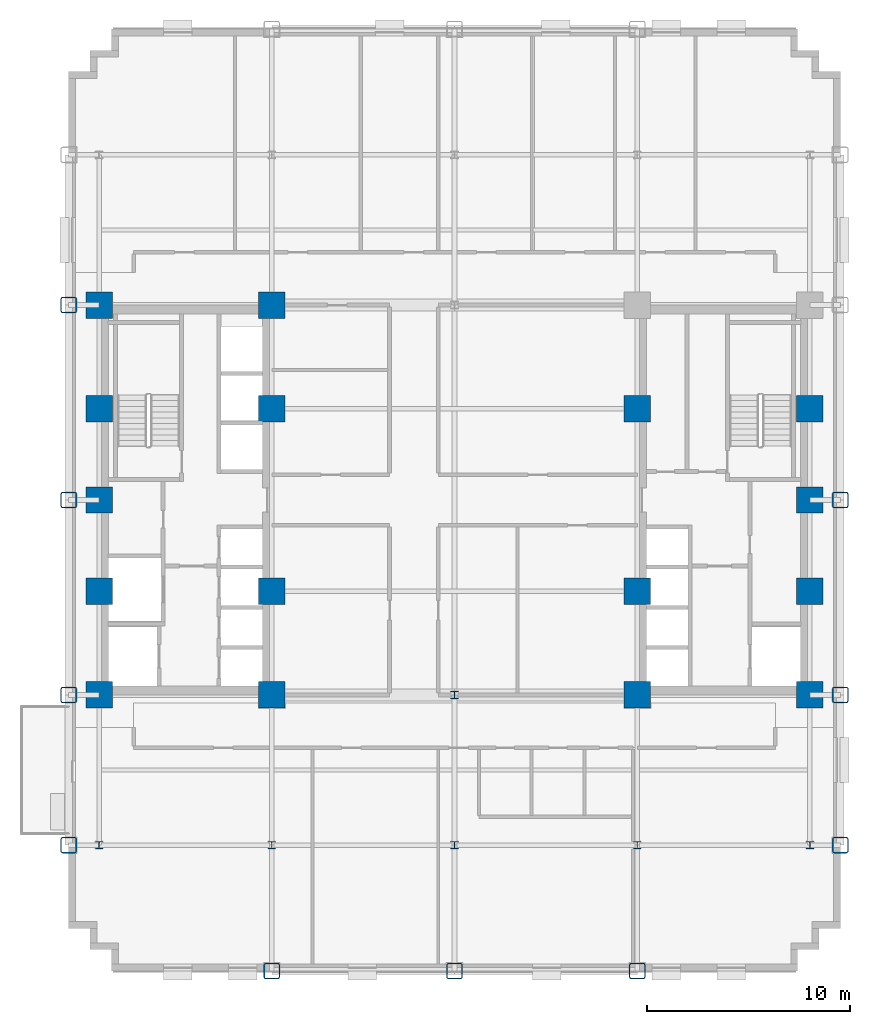
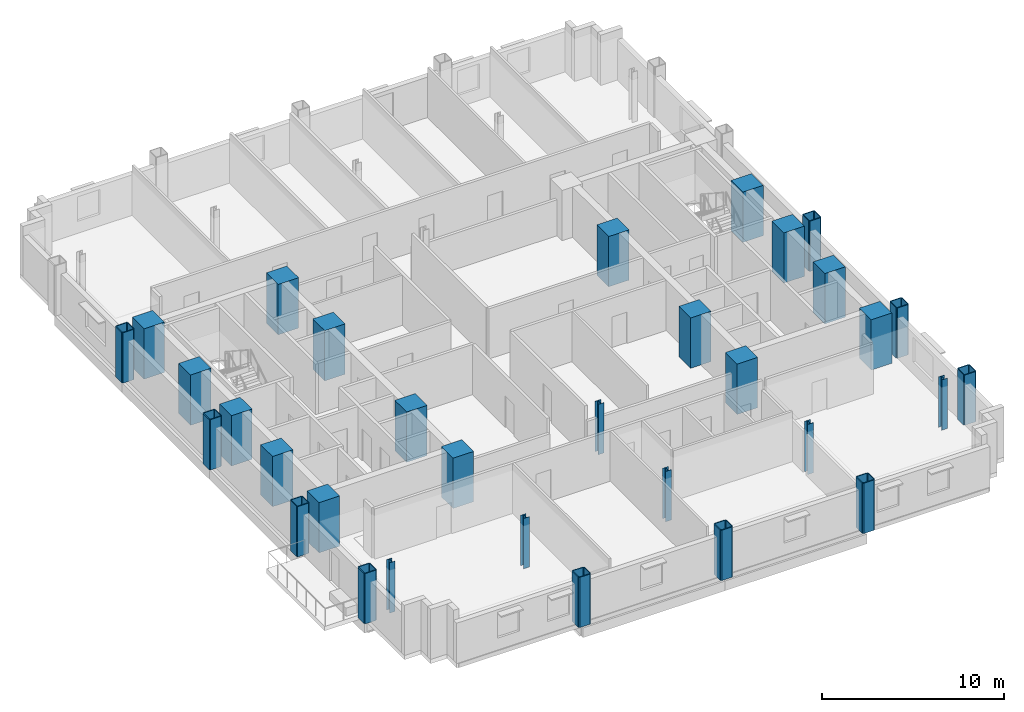
# One storey, part 1 of 12: 32 columns.
"""IFC4 building model written with IfcOpenShell, lengths in metres."""

from ifc_helpers import new_model, si_unit, direction, frame, origin, origin_2d, place, context, subcontext, project, spatial, rectangle, hollow_rectangle, i_section, extrude, material, material_profile, profile_set, type_object, element, save


model = new_model("IFC4")

# Units and contexts
model_context = context("Model", 3, precision=1e-05, world=origin(), true_north=direction((0.0, 1.0)))
body_context = subcontext(model_context, "Body", "Model", "MODEL_VIEW")
ifc_project = project(units=[si_unit("LENGTHUNIT", "METRE"), si_unit("AREAUNIT", "SQUARE_METRE"), si_unit("VOLUMEUNIT", "CUBIC_METRE"), si_unit("PLANEANGLEUNIT", "RADIAN"), si_unit("MASSUNIT", "GRAM", prefix="KILO")], contexts=[model_context])

# Site, building, storey
site_placement = place(None, origin())
site = spatial("IfcSite", under=ifc_project, at=site_placement, CompositionType="ELEMENT")
building_placement = place(site_placement, origin())
building = spatial("IfcBuilding", under=site, at=building_placement, Name="Nuvemarco Arch Tower", CompositionType="ELEMENT")
storey_placement = place(building_placement, frame((0.0, 0.0, 34.89990234375)))
storey = spatial("IfcBuildingStorey", under=building, at=storey_placement, Name="L08", CompositionType="ELEMENT", Elevation=34.89990234375)

# Columns
ifc_material_1 = material(Name="Concrete C60/75", Category="concrete")
ifc_material_profile_1 = material_profile(ifc_material_1, rectangle(XDim=1.300048828125, YDim=1.300048828125, at=origin_2d()), Name="RC-COL-1300x1300")
ifc_profile_set_1 = profile_set([ifc_material_profile_1], Name="Concrete C60/75")
column_type_1 = type_object("IfcColumnType", Name="COL-CORE-1300", PredefinedType="COLUMN", material=ifc_profile_set_1)
for number, where, z_axis, x_axis, name in (
    (1, (-17.5, -9.60009765625, 0.0), (0.0, 0.0, 1.0), (1.0, 0.0, 0.0), "L08 column CC_-17.5_-9.6"),
    (2, (-17.5, -4.5, 0.0), (0.0, 0.0, 1.0), (1.0, 0.0, 0.0), "L08 column CC_-17.5_-4.5"),
    (3, (-17.5, 4.5, 0.0), (0.0, 0.0, 1.0), (1.0, 0.0, 0.0), "L08 column CC_-17.5_+4.5"),
    (4, (-17.5, 9.60009765625, 0.0), (0.0, 0.0, 1.0), (1.0, 0.0, 0.0), "L08 column CC_-17.5_+9.6"),
    (5, (-9.0, -9.60009765625, 0.0), (0.0, 0.0, 1.0), (1.0, 0.0, 0.0), "L08 column CC_-9.0_-9.6"),
    (6, (-9.0, -4.5, 0.0), (0.0, 0.0, 1.0), (1.0, 0.0, 0.0), "L08 column CC_-9.0_-4.5"),
    (7, (-9.0, 4.5, 0.0), (0.0, 0.0, 1.0), (1.0, 0.0, 0.0), "L08 column CC_-9.0_+4.5"),
    (8, (-9.0, 9.60009765625, 0.0), (0.0, 0.0, 1.0), (1.0, 0.0, 0.0), "L08 column CC_-9.0_+9.6"),
    (9, (9.0, -9.60009765625, 0.0), (0.0, 0.0, 1.0), (1.0, 0.0, 0.0), "L08 column CC_+9.0_-9.6"),
    (10, (9.0, -4.5, 0.0), (0.0, 0.0, 1.0), (1.0, 0.0, 0.0), "L08 column CC_+9.0_-4.5"),
    (11, (9.0, 4.5, 0.0), (0.0, 0.0, 1.0), (1.0, 0.0, 0.0), "L08 column CC_+9.0_+4.5"),
    (12, (17.5, -9.60009765625, 0.0), (0.0, 0.0, 1.0), (1.0, 0.0, 0.0), "L08 column CC_+17.5_-9.6"),
    (13, (17.5, -4.5, 0.0), (0.0, 0.0, 1.0), (1.0, 0.0, 0.0), "L08 column CC_+17.5_-4.5"),
    (14, (17.5, 4.5, 0.0), (0.0, 0.0, 1.0), (1.0, 0.0, 0.0), "L08 column CC_+17.5_+4.5"),
    (15, (-17.5, 0.0, 0.0), (0.0, 0.0, 1.0), (1.0, 0.0, 0.0), "L08 column CC_-17.5_+0.0"),
    (16, (17.5, 0.0, 0.0), (0.0, 0.0, 1.0), (1.0, 0.0, 0.0), "L08 column CC_+17.5_+0.0"),
):
    element("IfcColumn", number, at=place(storey_placement, frame(where, z_axis=z_axis, x_axis=x_axis)), inside=storey, type_object=column_type_1, Name=name, PredefinedType="COLUMN", context=body_context, shape_type="SweptSolid", body=[
        extrude(rectangle(XDim=1.300048828125, YDim=1.300048828125, at=origin_2d()), origin(), (0.0, 0.0, 1.0), 3.3701171875),
    ])
ifc_material_2 = material(Name="Steel S460", Category="steel")
ifc_material_profile_2 = material_profile(ifc_material_2, hollow_rectangle(XDim=0.800048828125, YDim=0.800048828125, WallThickness=0.054931640625, InnerFilletRadius=0.054931640625, OuterFilletRadius=0.110107421875, at=origin_2d()), Name="SHS800x800x55")
ifc_profile_set_2 = profile_set([ifc_material_profile_2], Name="Steel S460")
column_type_2 = type_object("IfcColumnType", Name="COL-EXO-800", PredefinedType="COLUMN", material=ifc_profile_set_2)
for number, where, z_axis, x_axis, name in (
    (17, (-19.0, -17.0, 0.0), (0.0, 0.0, 1.0), (1.0, 0.0, 0.0), "L08 column CX_-19.0_-17.0"),
    (18, (-19.0, -9.60009765625, 0.0), (0.0, 0.0, 1.0), (1.0, 0.0, 0.0), "L08 column CX_-19.0_-9.6"),
    (19, (-19.0, 0.0, 0.0), (0.0, 0.0, 1.0), (1.0, 0.0, 0.0), "L08 column CX_-19.0_+0.0"),
    (20, (-19.0, 9.60009765625, 0.0), (0.0, 0.0, 1.0), (1.0, 0.0, 0.0), "L08 column CX_-19.0_+9.6"),
    (21, (19.0, -17.0, 0.0), (0.0, 0.0, 1.0), (1.0, 0.0, 0.0), "L08 column CX_+19.0_-17.0"),
    (22, (19.0, -9.60009765625, 0.0), (0.0, 0.0, 1.0), (1.0, 0.0, 0.0), "L08 column CX_+19.0_-9.6"),
    (23, (19.0, 0.0, 0.0), (0.0, 0.0, 1.0), (1.0, 0.0, 0.0), "L08 column CX_+19.0_+0.0"),
    (24, (-9.0, -23.199951171875, 0.0), (0.0, 0.0, 1.0), (1.0, 0.0, 0.0), "L08 column CY_-9.0_-23.2"),
    (25, (0.0, -23.199951171875, 0.0), (0.0, 0.0, 1.0), (1.0, 0.0, 0.0), "L08 column CY_+0.0_-23.2"),
    (26, (9.0, -23.199951171875, 0.0), (0.0, 0.0, 1.0), (1.0, 0.0, 0.0), "L08 column CY_+9.0_-23.2"),
):
    element("IfcColumn", number, at=place(storey_placement, frame(where, z_axis=z_axis, x_axis=x_axis)), inside=storey, type_object=column_type_2, Name=name, PredefinedType="COLUMN", context=body_context, shape_type="SweptSolid", body=[
        extrude(hollow_rectangle(XDim=0.800048828125, YDim=0.800048828125, WallThickness=0.054931640625, InnerFilletRadius=0.054931640625, OuterFilletRadius=0.110107421875, at=origin_2d()), origin(), (0.0, 0.0, 1.0), 3.3701171875),
    ])
ifc_material_3 = material(Name="Steel S355", Category="steel")
ifc_material_profile_3 = material_profile(ifc_material_3, i_section(OverallWidth=0.360107421875, OverallDepth=0.360107421875, WebThickness=0.0205078125, FlangeThickness=0.0205078125, FilletRadius=0.01806640625, at=origin_2d()), Name="HP360x174")
ifc_profile_set_3 = profile_set([ifc_material_profile_3], Name="Steel S355")
column_type_3 = type_object("IfcColumnType", Name="COL-STL-HP360", PredefinedType="COLUMN", material=ifc_profile_set_3)
for number, where, z_axis, x_axis, name in (
    (27, (0.0, -17.0, 0.0), (0.0, 0.0, 1.0), (1.0, 0.0, 0.0), "L08 column CI_+0.0_-17.0"),
    (28, (0.0, -9.60009765625, 0.0), (0.0, 0.0, 1.0), (1.0, 0.0, 0.0), "L08 column CI_+0.0_-9.6"),
    (29, (-17.5, -17.0, 0.0), (0.0, 0.0, 1.0), (1.0, 0.0, 0.0), "L08 column CI_-17.5_-17.0"),
    (30, (-9.0, -17.0, 0.0), (0.0, 0.0, 1.0), (1.0, 0.0, 0.0), "L08 column CI_-9.0_-17.0"),
    (31, (9.0, -17.0, 0.0), (0.0, 0.0, 1.0), (1.0, 0.0, 0.0), "L08 column CI_+9.0_-17.0"),
    (32, (17.5, -17.0, 0.0), (0.0, 0.0, 1.0), (1.0, 0.0, 0.0), "L08 column CI_+17.5_-17.0"),
):
    element("IfcColumn", number, at=place(storey_placement, frame(where, z_axis=z_axis, x_axis=x_axis)), inside=storey, type_object=column_type_3, Name=name, PredefinedType="COLUMN", context=body_context, shape_type="SweptSolid", body=[
        extrude(i_section(OverallWidth=0.360107421875, OverallDepth=0.360107421875, WebThickness=0.0205078125, FlangeThickness=0.0205078125, FilletRadius=0.01806640625, at=origin_2d()), origin(), (0.0, 0.0, 1.0), 3.3701171875),
    ])

save(model, "model.ifc")
